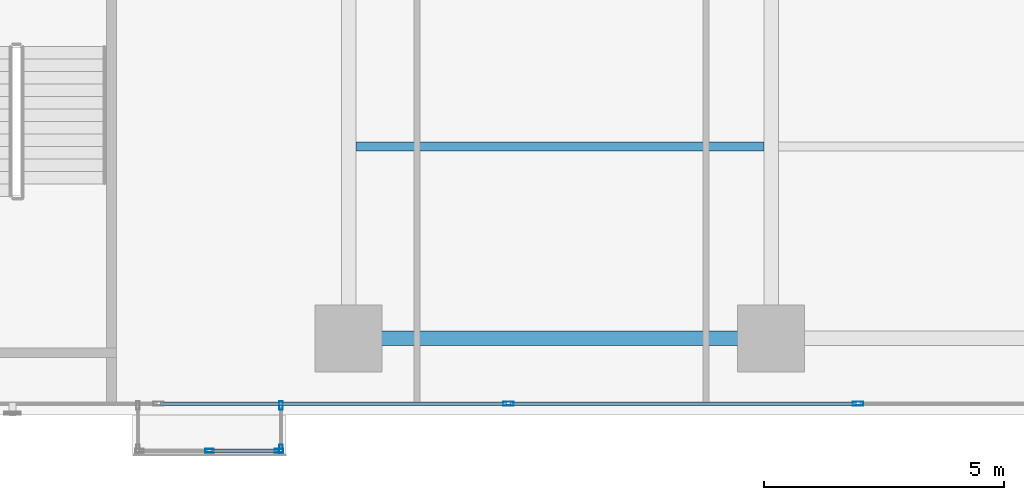
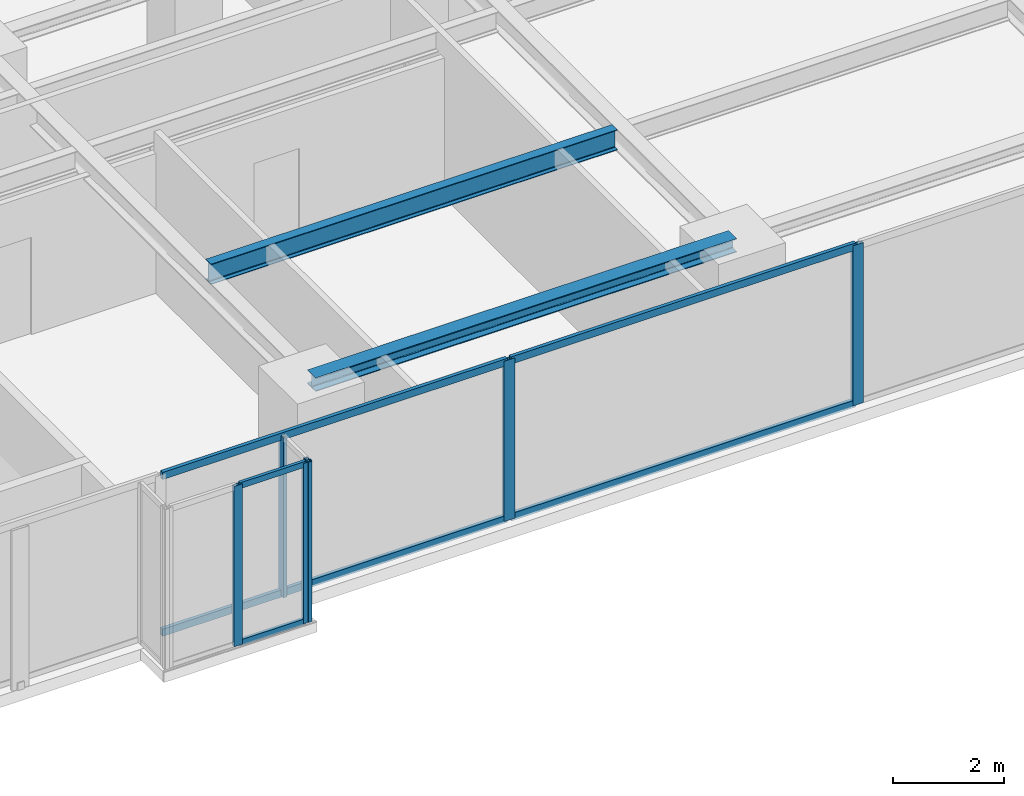
# One storey, part 12 of 28: 12 members, 2 beams, 3 elements without a shape of their own.
"""IFC4 building model written with IfcOpenShell, lengths in metres."""

from ifc_helpers import new_model, si_unit, direction, frame, origin, origin_with_axes, origin_2d, place, context, subcontext, project, spatial, hollow_rectangle, i_section, extrude, source, transform, mapped, material, layer, layer_set, material_profile, profile_set, type_object, element, aggregate, save


model = new_model("IFC4")

# Units and contexts
model_context = context("Model", 3, precision=1e-05, world=origin(), true_north=direction((0.0, 1.0)))
body_context = subcontext(model_context, "Body", "Model", "MODEL_VIEW")
ifc_project = project(units=[si_unit("LENGTHUNIT", "METRE"), si_unit("AREAUNIT", "SQUARE_METRE"), si_unit("VOLUMEUNIT", "CUBIC_METRE"), si_unit("PLANEANGLEUNIT", "RADIAN"), si_unit("MASSUNIT", "GRAM", prefix="KILO")], contexts=[model_context])

# Site, building, storey
site_placement = place(None, origin())
site = spatial("IfcSite", under=ifc_project, at=site_placement, CompositionType="ELEMENT")
building_placement = place(site_placement, origin())
building = spatial("IfcBuilding", under=site, at=building_placement, Name="Kolvaren Waterfront Exchange", CompositionType="ELEMENT")
storey_placement = place(building_placement, frame((0.0, 0.0, 114.5)))
storey = spatial("IfcBuildingStorey", under=building, at=storey_placement, Name="L29", CompositionType="ELEMENT", Elevation=114.5)

# Beams
ifc_material_1 = material(Name="Steel S355", Category="steel")
ifc_material_profile_1 = material_profile(ifc_material_1, i_section(OverallWidth=0.300048828125, OverallDepth=0.300048828125, WebThickness=0.010986328125, FlangeThickness=0.01904296875, FilletRadius=0.027099609375, at=origin_2d()), Name="HEB300")
ifc_profile_set_1 = profile_set([ifc_material_profile_1], Name="Steel S355")
beam_type_1 = type_object("IfcBeamType", Name="STR-BM-HEB300", PredefinedType="SPANDREL", material=ifc_profile_set_1)
beam_1_placement = place(storey_placement, frame((36.800048828125, 5.199951171875, 3.389892578125), z_axis=(1.0, 0.0, 0.0), x_axis=(0.0, 1.0, 0.0)))
element("IfcBeam", 1, at=beam_1_placement, inside=storey, type_object=beam_type_1, Name="L29 east-arm spandrel S3", PredefinedType="SPANDREL", context=body_context, shape_type="SweptSolid", body=[
    extrude(i_section(OverallWidth=0.300048828125, OverallDepth=0.300048828125, WebThickness=0.010986328125, FlangeThickness=0.01904296875, FilletRadius=0.027099609375, at=origin_2d()), origin(), (0.0, 0.0, 1.0), 8.800048828125),
])
ifc_material_profile_2 = material_profile(ifc_material_1, i_section(OverallWidth=0.18994140625, OverallDepth=0.449951171875, WebThickness=0.009521484375, FlangeThickness=0.0146484375, FilletRadius=0.02099609375, at=origin_2d()), Name="IPE450")
ifc_profile_set_2 = profile_set([ifc_material_profile_2], Name="Steel S355")
beam_type_2 = type_object("IfcBeamType", Name="STR-BM-IPE450", PredefinedType="JOIST", material=ifc_profile_set_2)
beam_2_placement = place(storey_placement, frame((36.951904296875, 9.199951171875, 3.31494140625), z_axis=(1.0, 0.0, 0.0), x_axis=(0.0, 1.0, 0.0)))
element("IfcBeam", 2, at=beam_2_placement, inside=storey, type_object=beam_type_2, Name="L29 east-arm composite joist 3B", PredefinedType="JOIST", context=body_context, shape_type="SweptSolid", body=[
    extrude(i_section(OverallWidth=0.18994140625, OverallDepth=0.449951171875, WebThickness=0.009521484375, FlangeThickness=0.0146484375, FilletRadius=0.02099609375, at=origin_2d()), origin(), (0.0, 0.0, 1.0), 8.49609375),
])

# Curtain wall, members
ifc_material_2 = material(Name="Anodised bronze aluminium 6063-T6", Category="aluminium")
ifc_layer_1 = layer(ifc_material_2, 0.219970703125, Name="Anodised bronze aluminium 6063-T6")
ifc_layer_set_1 = layer_set([ifc_layer_1], Name="Anodised bronze aluminium 6063-T6")
curtain_wall_type_1 = type_object("IfcCurtainWallType", Name="ARC-CW-SYS3", PredefinedType="USERDEFINED", material=ifc_layer_set_1)
curtain_wall_1_placement = place(storey_placement, origin())
curtain_wall_1 = element("IfcCurtainWall", 3, at=curtain_wall_1_placement, inside=storey, type_object=curtain_wall_type_1, Name="L29 stick curtain wall CW3 (CW-L29-BOX)", ObjectType="STICK CURTAIN WALL", PredefinedType="USERDEFINED")
ifc_material_profile_3 = material_profile(ifc_material_2, hollow_rectangle(XDim=0.074951171875, YDim=0.179931640625, WallThickness=0.00439453125, at=origin_2d()), Name="ALU-MUL-180x75x4.5")
ifc_profile_set_3 = profile_set([ifc_material_profile_3], Name="Anodised bronze aluminium 6063-T6")
member_type_1 = type_object("IfcMemberType", Name="ARC-CWM-180", PredefinedType="MULLION", material=ifc_profile_set_3)
shared_shape_1 = source(origin_with_axes(), body_context, "Body", "SweptSolid", [
    extrude(hollow_rectangle(XDim=0.074951171875, YDim=0.179931640625, WallThickness=0.00439453125, at=origin_2d()), origin(), (0.0, 0.0, 1.0), 3.5400390625),
])
member_1_placement = place(storey_placement, frame((33.89990234375, 2.860107421875, 0.0), z_axis=(0.0, 0.0, 1.0), x_axis=(0.0, 1.0, 0.0)))
member_1 = element("IfcMember", 4, at=member_1_placement, type_object=member_type_1, Name="CW3 mullion 2", PredefinedType="MULLION", context=body_context, shape_type="MappedRepresentation", body=[
    mapped(shared_shape_1, transform((0.0, 0.0, 0.0), x_axis=(1.0, 0.0, 0.0), y_axis=(0.0, 1.0, 0.0), z_axis=(0.0, 0.0, 1.0), scale=1.0)),
])
member_2_placement = place(storey_placement, frame((35.3525390625, 2.860107421875, 0.0), z_axis=(0.0, 0.0, 1.0), x_axis=(0.0, 1.0, 0.0)))
member_2 = element("IfcMember", 5, at=member_2_placement, type_object=member_type_1, Name="CW3 mullion 3", PredefinedType="MULLION", context=body_context, shape_type="MappedRepresentation", body=[
    mapped(shared_shape_1, transform((0.0, 0.0, 0.0), x_axis=(1.0, 0.0, 0.0), y_axis=(0.0, 1.0, 0.0), z_axis=(0.0, 0.0, 1.0), scale=1.0)),
])

curtain_wall_2_placement = place(storey_placement, origin())
curtain_wall_2 = element("IfcCurtainWall", 6, at=curtain_wall_2_placement, inside=storey, type_object=curtain_wall_type_1, Name="L29 stick curtain wall CW3 (CW-L29-BOX-E)", ObjectType="STICK CURTAIN WALL", PredefinedType="USERDEFINED")
member_3_placement = place(storey_placement, frame((35.389892578125, 2.8974609375, 0.0), z_axis=(0.0, 0.0, 1.0), x_axis=(-1.0, 0.0, 0.0)))
member_3 = element("IfcMember", 7, at=member_3_placement, type_object=member_type_1, Name="CW3 mullion 1", PredefinedType="MULLION", context=body_context, shape_type="MappedRepresentation", body=[
    mapped(shared_shape_1, transform((0.0, 0.0, 0.0), x_axis=(1.0, 0.0, 0.0), y_axis=(0.0, 1.0, 0.0), z_axis=(0.0, 0.0, 1.0), scale=1.0)),
])
member_4_placement = place(storey_placement, frame((35.389892578125, 3.802490234375, 0.0), z_axis=(0.0, 0.0, 1.0), x_axis=(-1.0, 0.0, 0.0)))
member_4 = element("IfcMember", 8, at=member_4_placement, type_object=member_type_1, Name="CW3 mullion 2", PredefinedType="MULLION", context=body_context, shape_type="MappedRepresentation", body=[
    mapped(shared_shape_1, transform((0.0, 0.0, 0.0), x_axis=(1.0, 0.0, 0.0), y_axis=(0.0, 1.0, 0.0), z_axis=(0.0, 0.0, 1.0), scale=1.0)),
])
aggregate(curtain_wall_2, [member_3, member_4])

# Member
ifc_material_profile_4 = material_profile(ifc_material_2, hollow_rectangle(XDim=0.06494140625, YDim=0.1298828125, WallThickness=0.00390625, at=origin_2d()), Name="ALU-TRN-130x65x4")
ifc_profile_set_4 = profile_set([ifc_material_profile_4], Name="Anodised bronze aluminium 6063-T6")
member_type_2 = type_object("IfcMemberType", Name="ARC-CWT-130", PredefinedType="USERDEFINED", material=ifc_profile_set_4)
shared_shape_2 = source(origin_with_axes(), body_context, "Body", "SweptSolid", [
    extrude(hollow_rectangle(XDim=0.06494140625, YDim=0.1298828125, WallThickness=0.00390625, at=origin_2d()), origin(), (0.0, 0.0, 1.0), 1.37744140625),
])
member_5_placement = place(storey_placement, frame((33.9375, 2.860107421875, 0.032470703125), z_axis=(1.0, 0.0, 0.0), x_axis=(0.0, 1.0, 0.0)))
member_5 = element("IfcMember", 9, at=member_5_placement, type_object=member_type_2, Name="CW3 transom 2.1", ObjectType="TRANSOM", PredefinedType="USERDEFINED", context=body_context, shape_type="MappedRepresentation", body=[
    mapped(shared_shape_2, transform((0.0, 0.0, 0.0), x_axis=(1.0, 0.0, 0.0), y_axis=(0.0, 1.0, 0.0), z_axis=(0.0, 0.0, 1.0), scale=1.0)),
])

member_6_placement = place(storey_placement, frame((33.9375, 2.860107421875, 3.507568359375), z_axis=(1.0, 0.0, 0.0), x_axis=(0.0, 1.0, 0.0)))
member_6 = element("IfcMember", 10, at=member_6_placement, type_object=member_type_2, Name="CW3 transom 2.2", ObjectType="TRANSOM", PredefinedType="USERDEFINED", context=body_context, shape_type="MappedRepresentation", body=[
    mapped(shared_shape_2, transform((0.0, 0.0, 0.0), x_axis=(1.0, 0.0, 0.0), y_axis=(0.0, 1.0, 0.0), z_axis=(0.0, 0.0, 1.0), scale=1.0)),
])

aggregate(curtain_wall_1, [member_1, member_2, member_5, member_6])

# Curtain wall, members
ifc_layer_2 = layer(ifc_material_2, 0.219970703125, Name="Anodised bronze aluminium 6063-T6")
ifc_layer_set_2 = layer_set([ifc_layer_2], Name="Anodised bronze aluminium 6063-T6")
curtain_wall_type_2 = type_object("IfcCurtainWallType", Name="ARC-CW-SYS1", PredefinedType="USERDEFINED", material=ifc_layer_set_2)
curtain_wall_3_placement = place(storey_placement, origin())
curtain_wall_3 = element("IfcCurtainWall", 11, at=curtain_wall_3_placement, inside=storey, type_object=curtain_wall_type_2, Name="L29 stick curtain wall CW1 (CW-L29-S)", ObjectType="STICK CURTAIN WALL", PredefinedType="USERDEFINED")
ifc_material_3 = material(Name="Anodised aluminium 6063-T6", Category="aluminium")
ifc_material_profile_5 = material_profile(ifc_material_3, hollow_rectangle(XDim=0.080078125, YDim=0.219970703125, WallThickness=0.0048828125, at=origin_2d()), Name="ALU-MUL-220x80x5")
ifc_profile_set_5 = profile_set([ifc_material_profile_5], Name="Anodised aluminium 6063-T6")
member_type_3 = type_object("IfcMemberType", Name="ARC-CWM-220", PredefinedType="MULLION", material=ifc_profile_set_5)
shared_shape_3 = source(origin_with_axes(), body_context, "Body", "SweptSolid", [
    extrude(hollow_rectangle(XDim=0.080078125, YDim=0.219970703125, WallThickness=0.0048828125, at=origin_2d()), origin(), (0.0, 0.0, 1.0), 3.5400390625),
])
member_7_placement = place(storey_placement, frame((40.128662109375, 3.840087890625, 0.0), z_axis=(0.0, 0.0, 1.0), x_axis=(0.0, 1.0, 0.0)))
member_7 = element("IfcMember", 12, at=member_7_placement, type_object=member_type_3, Name="CW1 mullion 6", PredefinedType="MULLION", context=body_context, shape_type="MappedRepresentation", body=[
    mapped(shared_shape_3, transform((0.0, 0.0, 0.0), x_axis=(1.0, 0.0, 0.0), y_axis=(0.0, 1.0, 0.0), z_axis=(0.0, 0.0, 1.0), scale=1.0)),
])
member_8_placement = place(storey_placement, frame((47.414306640625, 3.840087890625, 0.0), z_axis=(0.0, 0.0, 1.0), x_axis=(0.0, 1.0, 0.0)))
member_8 = element("IfcMember", 13, at=member_8_placement, type_object=member_type_3, Name="CW1 mullion 7", PredefinedType="MULLION", context=body_context, shape_type="MappedRepresentation", body=[
    mapped(shared_shape_3, transform((0.0, 0.0, 0.0), x_axis=(1.0, 0.0, 0.0), y_axis=(0.0, 1.0, 0.0), z_axis=(0.0, 0.0, 1.0), scale=1.0)),
])
ifc_material_profile_6 = material_profile(ifc_material_3, hollow_rectangle(XDim=0.074951171875, YDim=0.159912109375, WallThickness=0.00439453125, at=origin_2d()), Name="ALU-TRN-160x75x4.5")
ifc_profile_set_6 = profile_set([ifc_material_profile_6], Name="Anodised aluminium 6063-T6")
member_type_4 = type_object("IfcMemberType", Name="ARC-CWT-160", PredefinedType="USERDEFINED", material=ifc_profile_set_6)
shared_shape_4 = source(origin_with_axes(), body_context, "Body", "SweptSolid", [
    extrude(hollow_rectangle(XDim=0.074951171875, YDim=0.159912109375, WallThickness=0.00439453125, at=origin_2d()), origin(), (0.0, 0.0, 1.0), 7.205810546875),
])
member_9_placement = place(storey_placement, frame((32.8828125, 3.840087890625, 0.03759765625), z_axis=(1.0, 0.0, 0.0), x_axis=(0.0, 1.0, 0.0)))
member_9 = element("IfcMember", 14, at=member_9_placement, type_object=member_type_4, Name="CW1 transom 5.1", ObjectType="TRANSOM", PredefinedType="USERDEFINED", context=body_context, shape_type="MappedRepresentation", body=[
    mapped(shared_shape_4, transform((0.0, 0.0, 0.0), x_axis=(1.0, 0.0, 0.0), y_axis=(0.0, 1.0, 0.0), z_axis=(0.0, 0.0, 1.0), scale=1.0)),
])
member_10_placement = place(storey_placement, frame((32.8828125, 3.840087890625, 3.50244140625), z_axis=(1.0, 0.0, 0.0), x_axis=(0.0, 1.0, 0.0)))
member_10 = element("IfcMember", 15, at=member_10_placement, type_object=member_type_4, Name="CW1 transom 5.2", ObjectType="TRANSOM", PredefinedType="USERDEFINED", context=body_context, shape_type="MappedRepresentation", body=[
    mapped(shared_shape_4, transform((0.0, 0.0, 0.0), x_axis=(1.0, 0.0, 0.0), y_axis=(0.0, 1.0, 0.0), z_axis=(0.0, 0.0, 1.0), scale=1.0)),
])
member_11_placement = place(storey_placement, frame((40.16845703125, 3.840087890625, 0.03759765625), z_axis=(1.0, 0.0, 0.0), x_axis=(0.0, 1.0, 0.0)))
member_11 = element("IfcMember", 16, at=member_11_placement, type_object=member_type_4, Name="CW1 transom 6.1", ObjectType="TRANSOM", PredefinedType="USERDEFINED", context=body_context, shape_type="MappedRepresentation", body=[
    mapped(shared_shape_4, transform((0.0, 0.0, 0.0), x_axis=(1.0, 0.0, 0.0), y_axis=(0.0, 1.0, 0.0), z_axis=(0.0, 0.0, 1.0), scale=1.0)),
])
member_12_placement = place(storey_placement, frame((40.16845703125, 3.840087890625, 3.50244140625), z_axis=(1.0, 0.0, 0.0), x_axis=(0.0, 1.0, 0.0)))
member_12 = element("IfcMember", 17, at=member_12_placement, type_object=member_type_4, Name="CW1 transom 6.2", ObjectType="TRANSOM", PredefinedType="USERDEFINED", context=body_context, shape_type="MappedRepresentation", body=[
    mapped(shared_shape_4, transform((0.0, 0.0, 0.0), x_axis=(1.0, 0.0, 0.0), y_axis=(0.0, 1.0, 0.0), z_axis=(0.0, 0.0, 1.0), scale=1.0)),
])
aggregate(curtain_wall_3, [member_7, member_8, member_9, member_10, member_11, member_12])

save(model, "model.ifc")
